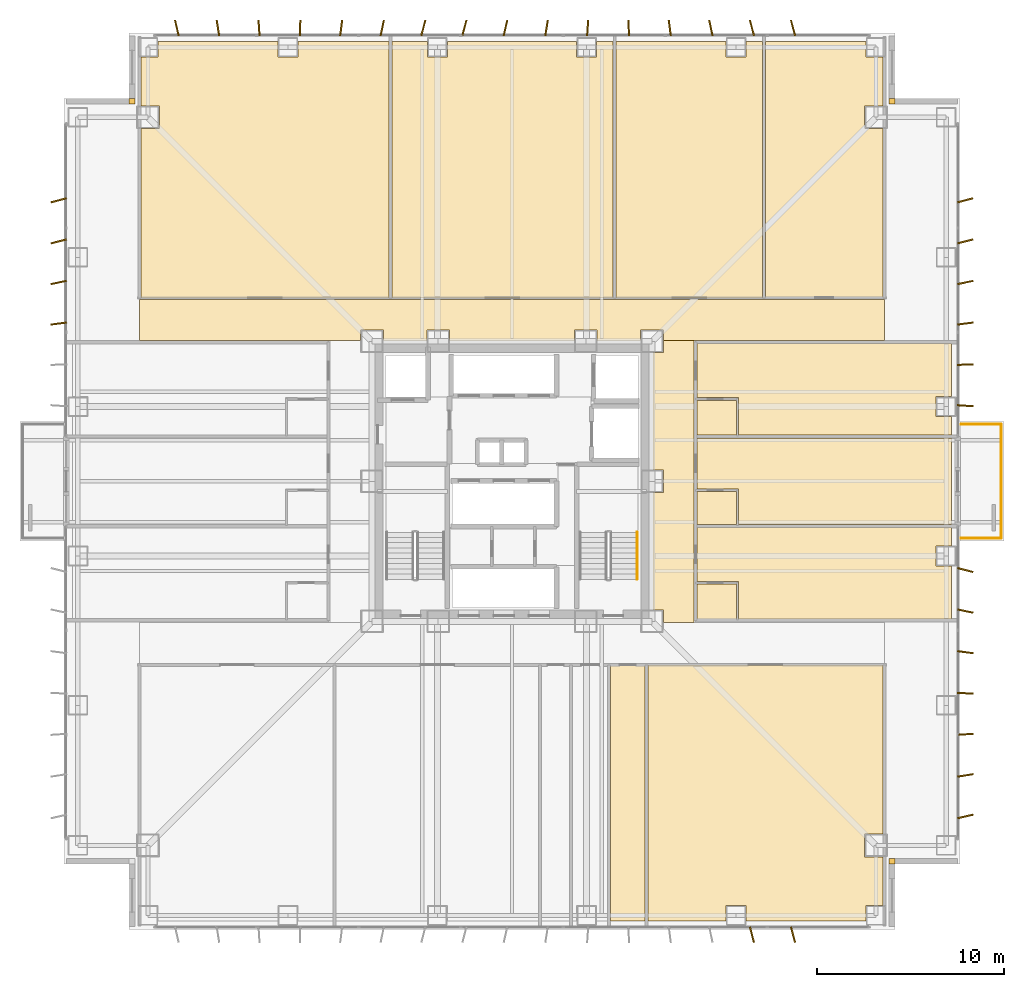
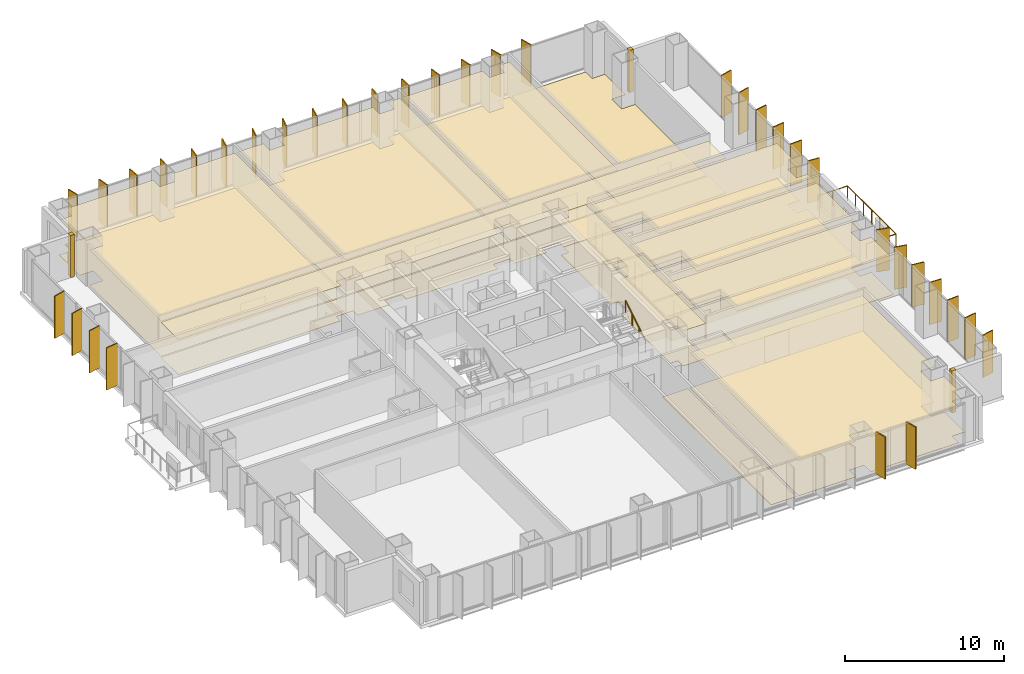
# One storey, part 16 of 16: 35 shading devices, 26 coverings, 4 railings.
"""IFC4 building model written with IfcOpenShell, lengths in metres."""

from ifc_helpers import new_model, si_unit, direction, frame, origin, origin_2d, place, context, subcontext, project, spatial, polyline, rectangle, circle, outline, extrude, material, layer, layer_set, type_object, element, save


model = new_model("IFC4")

# Units and contexts
model_context = context("Model", 3, precision=1e-05, world=origin(), true_north=direction((0.0, 1.0)))
body_context = subcontext(model_context, "Body", "Model", "MODEL_VIEW")
ifc_project = project(units=[si_unit("LENGTHUNIT", "METRE"), si_unit("AREAUNIT", "SQUARE_METRE"), si_unit("VOLUMEUNIT", "CUBIC_METRE"), si_unit("PLANEANGLEUNIT", "RADIAN"), si_unit("MASSUNIT", "GRAM", prefix="KILO")], contexts=[model_context])

# Site, building, storey
site_placement = place(None, origin())
site = spatial("IfcSite", under=ifc_project, at=site_placement, CompositionType="ELEMENT")
building_placement = place(site_placement, origin())
building = spatial("IfcBuilding", under=site, at=building_placement, Name="Trevonay Congress Spire", CompositionType="ELEMENT")
storey_placement = place(building_placement, frame((0.0, 0.0, 48.0)))
storey = spatial("IfcBuildingStorey", under=building, at=storey_placement, Name="L11", CompositionType="ELEMENT", Elevation=48.0)

# Coverings
ifc_material_1 = material(Name="Acoustic Mineral Fibre Board", Category="gypsum")
ifc_layer_1 = layer(ifc_material_1, 0.02490234375, Name="Acoustic Mineral Fibre Board")
ifc_layer_set_1 = layer_set([ifc_layer_1], Name="Acoustic Mineral Fibre Board")
covering_type_1 = type_object("IfcCoveringType", Name="COV-CEIL-ACOUSTIC", PredefinedType="CEILING", material=ifc_layer_set_1)
covering_1_placement = place(storey_placement, frame((0.0, 0.0, 2.699951171875)))
element("IfcCovering", 1, at=covering_1_placement, inside=storey, type_object=covering_type_1, Name="L11 Hotel Floor Corridor North acoustic suspended ceiling", PredefinedType="CEILING", context=body_context, shape_type="SweptSolid", body=[
    extrude(outline(polyline([(-19.949951171875, 7.550048828125), (-19.949951171875, 9.75), (19.949951171875, 9.75), (19.949951171875, 7.550048828125), (8.110107421875, 7.550048828125), (8.110107421875, 8.110107421875), (6.889892578125, 8.110107421875), (6.889892578125, 7.550048828125), (4.56005859375, 7.550048828125), (4.56005859375, 8.110107421875), (3.340087890625, 8.110107421875), (3.340087890625, 7.550048828125), (-3.340087890625, 7.550048828125), (-3.340087890625, 8.110107421875), (-4.56005859375, 8.110107421875), (-4.56005859375, 7.550048828125), (-6.889892578125, 7.550048828125), (-6.889892578125, 8.110107421875), (-8.110107421875, 8.110107421875), (-8.110107421875, 7.550048828125), (-19.949951171875, 7.550048828125)])), origin(), (0.0, 0.0, 1.0), 0.025146484375),
])
covering_2_placement = place(storey_placement, frame((0.0, 0.0, 2.699951171875)))
element("IfcCovering", 2, at=covering_2_placement, inside=storey, type_object=covering_type_1, Name="L11 Hotel Floor Corridor East acoustic suspended ceiling", PredefinedType="CEILING", context=body_context, shape_type="SweptSolid", body=[
    extrude(outline(polyline([(9.75, -7.550048828125), (8.110107421875, -7.550048828125), (8.110107421875, -6.889892578125), (7.550048828125, -6.889892578125), (7.550048828125, -0.610107421875), (8.110107421875, -0.610107421875), (8.110107421875, 0.610107421875), (7.550048828125, 0.610107421875), (7.550048828125, 6.889892578125), (8.110107421875, 6.889892578125), (8.110107421875, 7.550048828125), (9.75, 7.550048828125), (9.75, -7.550048828125)])), origin(), (0.0, 0.0, 1.0), 0.025146484375),
])
covering_3_placement = place(storey_placement, frame((0.0, 0.0, 2.699951171875)))
element("IfcCovering", 3, at=covering_3_placement, inside=storey, type_object=covering_type_1, Name="L11 Poolside Juice Bar acoustic suspended ceiling", PredefinedType="CEILING", context=body_context, shape_type="SweptSolid", body=[
    extrude(outline(polyline([(7.280029296875, -23.550048828125), (7.280029296875, -9.830078125), (19.8701171875, -9.830078125), (19.8701171875, -18.889892578125), (18.889892578125, -18.889892578125), (18.889892578125, -20.110107421875), (19.8701171875, -20.110107421875), (19.8701171875, -22.715087890625), (18.965087890625, -22.715087890625), (18.965087890625, -23.550048828125), (12.534912109375, -23.550048828125), (12.534912109375, -22.715087890625), (11.465087890625, -22.715087890625), (11.465087890625, -23.550048828125), (7.280029296875, -23.550048828125)])), origin(), (0.0, 0.0, 1.0), 0.025146484375),
])
covering_4_placement = place(storey_placement, frame((0.0, 0.0, 2.699951171875)))
element("IfcCovering", 4, at=covering_4_placement, inside=storey, type_object=covering_type_1, Name="L11 Hotel Wellness Fitness Gym acoustic suspended ceiling", PredefinedType="CEILING", context=body_context, shape_type="SweptSolid", body=[
    extrude(outline(polyline([(-6.580078125, 23.550048828125), (-6.580078125, 9.830078125), (-19.8701171875, 9.830078125), (-19.8701171875, 18.889892578125), (-18.889892578125, 18.889892578125), (-18.889892578125, 20.110107421875), (-19.8701171875, 20.110107421875), (-19.8701171875, 22.715087890625), (-18.965087890625, 22.715087890625), (-18.965087890625, 23.550048828125), (-12.534912109375, 23.550048828125), (-12.534912109375, 22.715087890625), (-11.465087890625, 22.715087890625), (-11.465087890625, 23.550048828125), (-6.580078125, 23.550048828125)])), origin(), (0.0, 0.0, 1.0), 0.025146484375),
])
covering_5_placement = place(storey_placement, frame((0.0, 0.0, 2.699951171875)))
element("IfcCovering", 5, at=covering_5_placement, inside=storey, type_object=covering_type_1, Name="L11 Garden Terrace Brasserie Dining acoustic suspended ceiling", PredefinedType="CEILING", context=body_context, shape_type="SweptSolid", body=[
    extrude(outline(polyline([(5.419921875, 23.550048828125), (5.419921875, 9.830078125), (-6.419921875, 9.830078125), (-6.419921875, 23.550048828125), (-4.534912109375, 23.550048828125), (-4.534912109375, 22.715087890625), (-3.465087890625, 22.715087890625), (-3.465087890625, 23.550048828125), (3.465087890625, 23.550048828125), (3.465087890625, 22.715087890625), (4.534912109375, 22.715087890625), (4.534912109375, 23.550048828125), (5.419921875, 23.550048828125)])), origin(), (0.0, 0.0, 1.0), 0.025146484375),
])
covering_6_placement = place(storey_placement, frame((0.0, 0.0, 2.699951171875)))
element("IfcCovering", 6, at=covering_6_placement, inside=storey, type_object=covering_type_1, Name="L11 Brasserie Show Kitchen acoustic suspended ceiling", PredefinedType="CEILING", context=body_context, shape_type="SweptSolid", body=[
    extrude(outline(polyline([(13.419921875, 23.550048828125), (13.419921875, 9.830078125), (5.580078125, 9.830078125), (5.580078125, 23.550048828125), (11.465087890625, 23.550048828125), (11.465087890625, 22.715087890625), (12.534912109375, 22.715087890625), (12.534912109375, 23.550048828125), (13.419921875, 23.550048828125)])), origin(), (0.0, 0.0, 1.0), 0.025146484375),
])
covering_7_placement = place(storey_placement, frame((0.0, 0.0, 2.699951171875)))
element("IfcCovering", 7, at=covering_7_placement, inside=storey, type_object=covering_type_1, Name="L11 Corner Hotel Suite acoustic suspended ceiling", PredefinedType="CEILING", context=body_context, shape_type="SweptSolid", body=[
    extrude(outline(polyline([(9.909912109375, -2.47998046875), (23.550048828125, -2.47998046875), (23.550048828125, -3.465087890625), (22.715087890625, -3.465087890625), (22.715087890625, -4.534912109375), (23.550048828125, -4.534912109375), (23.550048828125, -7.3701171875), (12.139892578125, -7.3701171875), (12.139892578125, -5.3720703125), (9.909912109375, -5.3720703125), (9.909912109375, -2.47998046875)])), origin(), (0.0, 0.0, 1.0), 0.025146484375),
])
covering_8_placement = place(storey_placement, frame((0.0, 0.0, 2.699951171875)))
element("IfcCovering", 8, at=covering_8_placement, inside=storey, type_object=covering_type_1, Name="L11 Corner Hotel Suite acoustic suspended ceiling", PredefinedType="CEILING", context=body_context, shape_type="SweptSolid", body=[
    extrude(outline(polyline([(9.909912109375, -0.4169921875), (9.909912109375, 2.320068359375), (23.550048828125, 2.320068359375), (23.550048828125, -2.320068359375), (12.139892578125, -2.320068359375), (12.139892578125, -0.4169921875), (9.909912109375, -0.4169921875)])), origin(), (0.0, 0.0, 1.0), 0.025146484375),
])
covering_9_placement = place(storey_placement, frame((0.0, 0.0, 2.699951171875)))
element("IfcCovering", 9, at=covering_9_placement, inside=storey, type_object=covering_type_1, Name="L11 Corner Hotel Suite acoustic suspended ceiling", PredefinedType="CEILING", context=body_context, shape_type="SweptSolid", body=[
    extrude(outline(polyline([(9.909912109375, 7.3701171875), (23.550048828125, 7.3701171875), (23.550048828125, 4.534912109375), (22.715087890625, 4.534912109375), (22.715087890625, 3.465087890625), (23.550048828125, 3.465087890625), (23.550048828125, 2.47998046875), (12.139892578125, 2.47998046875), (12.139892578125, 4.47802734375), (9.909912109375, 4.47802734375), (9.909912109375, 7.3701171875)])), origin(), (0.0, 0.0, 1.0), 0.025146484375),
])
ifc_material_2 = material(Name="Polished Granite Floor Tile", Category="masonry")
ifc_layer_2 = layer(ifc_material_2, 0.02001953125, Name="Polished Granite Floor Tile")
ifc_layer_set_2 = layer_set([ifc_layer_2], Name="Polished Granite Floor Tile")
covering_type_2 = type_object("IfcCoveringType", Name="COV-FLOOR-STONE", PredefinedType="FLOORING", material=ifc_layer_set_2)
covering_10_placement = place(storey_placement, origin())
element("IfcCovering", 10, at=covering_10_placement, inside=storey, type_object=covering_type_2, Name="L11 Hotel Floor Corridor North floor finish", PredefinedType="FLOORING", context=body_context, shape_type="SweptSolid", body=[
    extrude(outline(polyline([(-19.949951171875, 7.550048828125), (-19.949951171875, 9.75), (19.949951171875, 9.75), (19.949951171875, 7.550048828125), (8.110107421875, 7.550048828125), (8.110107421875, 8.110107421875), (6.889892578125, 8.110107421875), (6.889892578125, 7.550048828125), (4.56005859375, 7.550048828125), (4.56005859375, 8.110107421875), (3.340087890625, 8.110107421875), (3.340087890625, 7.550048828125), (-3.340087890625, 7.550048828125), (-3.340087890625, 8.110107421875), (-4.56005859375, 8.110107421875), (-4.56005859375, 7.550048828125), (-6.889892578125, 7.550048828125), (-6.889892578125, 8.110107421875), (-8.110107421875, 8.110107421875), (-8.110107421875, 7.550048828125), (-19.949951171875, 7.550048828125)])), origin(), (0.0, 0.0, 1.0), 0.02001953125),
])
covering_11_placement = place(storey_placement, origin())
element("IfcCovering", 11, at=covering_11_placement, inside=storey, type_object=covering_type_2, Name="L11 Hotel Floor Corridor East floor finish", PredefinedType="FLOORING", context=body_context, shape_type="SweptSolid", body=[
    extrude(outline(polyline([(9.75, -7.550048828125), (8.110107421875, -7.550048828125), (8.110107421875, -6.889892578125), (7.550048828125, -6.889892578125), (7.550048828125, -0.610107421875), (8.110107421875, -0.610107421875), (8.110107421875, 0.610107421875), (7.550048828125, 0.610107421875), (7.550048828125, 6.889892578125), (8.110107421875, 6.889892578125), (8.110107421875, 7.550048828125), (9.75, 7.550048828125), (9.75, -7.550048828125)])), origin(), (0.0, 0.0, 1.0), 0.02001953125),
])
covering_12_placement = place(storey_placement, origin())
element("IfcCovering", 12, at=covering_12_placement, inside=storey, type_object=covering_type_2, Name="L11 Accessible WC floor finish", PredefinedType="FLOORING", context=body_context, shape_type="SweptSolid", body=[
    extrude(outline(polyline([(5.280029296875, -23.550048828125), (7.1201171875, -23.550048828125), (7.1201171875, -9.830078125), (5.280029296875, -9.830078125), (5.280029296875, -23.550048828125)])), origin(), (0.0, 0.0, 1.0), 0.02001953125),
])
covering_13_placement = place(storey_placement, origin())
element("IfcCovering", 13, at=covering_13_placement, inside=storey, type_object=covering_type_2, Name="L11 Poolside Juice Bar floor finish", PredefinedType="FLOORING", context=body_context, shape_type="SweptSolid", body=[
    extrude(outline(polyline([(7.280029296875, -23.550048828125), (7.280029296875, -9.830078125), (19.8701171875, -9.830078125), (19.8701171875, -18.889892578125), (18.889892578125, -18.889892578125), (18.889892578125, -20.110107421875), (19.8701171875, -20.110107421875), (19.8701171875, -22.715087890625), (18.965087890625, -22.715087890625), (18.965087890625, -23.550048828125), (12.534912109375, -23.550048828125), (12.534912109375, -22.715087890625), (11.465087890625, -22.715087890625), (11.465087890625, -23.550048828125), (7.280029296875, -23.550048828125)])), origin(), (0.0, 0.0, 1.0), 0.02001953125),
])
covering_14_placement = place(storey_placement, origin())
element("IfcCovering", 14, at=covering_14_placement, inside=storey, type_object=covering_type_2, Name="L11 Garden Terrace Brasserie Dining floor finish", PredefinedType="FLOORING", context=body_context, shape_type="SweptSolid", body=[
    extrude(outline(polyline([(5.419921875, 23.550048828125), (5.419921875, 9.830078125), (-6.419921875, 9.830078125), (-6.419921875, 23.550048828125), (-4.534912109375, 23.550048828125), (-4.534912109375, 22.715087890625), (-3.465087890625, 22.715087890625), (-3.465087890625, 23.550048828125), (3.465087890625, 23.550048828125), (3.465087890625, 22.715087890625), (4.534912109375, 22.715087890625), (4.534912109375, 23.550048828125), (5.419921875, 23.550048828125)])), origin(), (0.0, 0.0, 1.0), 0.02001953125),
])
covering_15_placement = place(storey_placement, origin())
element("IfcCovering", 15, at=covering_15_placement, inside=storey, type_object=covering_type_2, Name="L11 Brasserie Show Kitchen floor finish", PredefinedType="FLOORING", context=body_context, shape_type="SweptSolid", body=[
    extrude(outline(polyline([(13.419921875, 23.550048828125), (13.419921875, 9.830078125), (5.580078125, 9.830078125), (5.580078125, 23.550048828125), (11.465087890625, 23.550048828125), (11.465087890625, 22.715087890625), (12.534912109375, 22.715087890625), (12.534912109375, 23.550048828125), (13.419921875, 23.550048828125)])), origin(), (0.0, 0.0, 1.0), 0.02001953125),
])
covering_16_placement = place(storey_placement, origin())
element("IfcCovering", 16, at=covering_16_placement, inside=storey, type_object=covering_type_2, Name="L11 Housekeeping and Linen Room floor finish", PredefinedType="FLOORING", context=body_context, shape_type="SweptSolid", body=[
    extrude(outline(polyline([(19.8701171875, 9.830078125), (13.580078125, 9.830078125), (13.580078125, 23.550048828125), (18.965087890625, 23.550048828125), (18.965087890625, 22.715087890625), (19.8701171875, 22.715087890625), (19.8701171875, 20.110107421875), (18.889892578125, 20.110107421875), (18.889892578125, 18.889892578125), (19.8701171875, 18.889892578125), (19.8701171875, 9.830078125)])), origin(), (0.0, 0.0, 1.0), 0.02001953125),
])
covering_17_placement = place(storey_placement, origin())
element("IfcCovering", 17, at=covering_17_placement, inside=storey, type_object=covering_type_2, Name="L11 En-suite Bathroom floor finish", PredefinedType="FLOORING", context=body_context, shape_type="SweptSolid", body=[
    extrude(outline(polyline([(9.909912109375, -7.3701171875), (12.02001953125, -7.3701171875), (12.02001953125, -5.511962890625), (9.909912109375, -5.511962890625), (9.909912109375, -7.3701171875)])), origin(), (0.0, 0.0, 1.0), 0.02001953125),
])
covering_18_placement = place(storey_placement, origin())
element("IfcCovering", 18, at=covering_18_placement, inside=storey, type_object=covering_type_2, Name="L11 En-suite Bathroom floor finish", PredefinedType="FLOORING", context=body_context, shape_type="SweptSolid", body=[
    extrude(outline(polyline([(9.909912109375, -2.320068359375), (12.02001953125, -2.320068359375), (12.02001953125, -0.556884765625), (9.909912109375, -0.556884765625), (9.909912109375, -2.320068359375)])), origin(), (0.0, 0.0, 1.0), 0.02001953125),
])
covering_19_placement = place(storey_placement, origin())
element("IfcCovering", 19, at=covering_19_placement, inside=storey, type_object=covering_type_2, Name="L11 En-suite Bathroom floor finish", PredefinedType="FLOORING", context=body_context, shape_type="SweptSolid", body=[
    extrude(outline(polyline([(9.909912109375, 2.47998046875), (12.02001953125, 2.47998046875), (12.02001953125, 4.337890625), (9.909912109375, 4.337890625), (9.909912109375, 2.47998046875)])), origin(), (0.0, 0.0, 1.0), 0.02001953125),
])
ifc_material_3 = material(Name="Engineered Oak Flooring", Category="wood")
ifc_layer_3 = layer(ifc_material_3, 0.01806640625, Name="Engineered Oak Flooring")
ifc_layer_set_3 = layer_set([ifc_layer_3], Name="Engineered Oak Flooring")
covering_type_3 = type_object("IfcCoveringType", Name="COV-FLOOR-TIMBER", PredefinedType="FLOORING", material=ifc_layer_set_3)
covering_20_placement = place(storey_placement, origin())
element("IfcCovering", 20, at=covering_20_placement, inside=storey, type_object=covering_type_3, Name="L11 Hotel Wellness Fitness Gym floor finish", PredefinedType="FLOORING", context=body_context, shape_type="SweptSolid", body=[
    extrude(outline(polyline([(-6.580078125, 23.550048828125), (-6.580078125, 9.830078125), (-19.8701171875, 9.830078125), (-19.8701171875, 18.889892578125), (-18.889892578125, 18.889892578125), (-18.889892578125, 20.110107421875), (-19.8701171875, 20.110107421875), (-19.8701171875, 22.715087890625), (-18.965087890625, 22.715087890625), (-18.965087890625, 23.550048828125), (-12.534912109375, 23.550048828125), (-12.534912109375, 22.715087890625), (-11.465087890625, 22.715087890625), (-11.465087890625, 23.550048828125), (-6.580078125, 23.550048828125)])), origin(), (0.0, 0.0, 1.0), 0.01806640625),
])
covering_21_placement = place(storey_placement, origin())
element("IfcCovering", 21, at=covering_21_placement, inside=storey, type_object=covering_type_3, Name="L11 Corner Hotel Suite floor finish", PredefinedType="FLOORING", context=body_context, shape_type="SweptSolid", body=[
    extrude(outline(polyline([(9.909912109375, -2.47998046875), (23.550048828125, -2.47998046875), (23.550048828125, -3.465087890625), (22.715087890625, -3.465087890625), (22.715087890625, -4.534912109375), (23.550048828125, -4.534912109375), (23.550048828125, -7.3701171875), (12.139892578125, -7.3701171875), (12.139892578125, -5.3720703125), (9.909912109375, -5.3720703125), (9.909912109375, -2.47998046875)])), origin(), (0.0, 0.0, 1.0), 0.01806640625),
])
covering_22_placement = place(storey_placement, origin())
element("IfcCovering", 22, at=covering_22_placement, inside=storey, type_object=covering_type_3, Name="L11 Corner Hotel Suite floor finish", PredefinedType="FLOORING", context=body_context, shape_type="SweptSolid", body=[
    extrude(outline(polyline([(9.909912109375, -0.4169921875), (9.909912109375, 2.320068359375), (23.550048828125, 2.320068359375), (23.550048828125, -2.320068359375), (12.139892578125, -2.320068359375), (12.139892578125, -0.4169921875), (9.909912109375, -0.4169921875)])), origin(), (0.0, 0.0, 1.0), 0.01806640625),
])
covering_23_placement = place(storey_placement, origin())
element("IfcCovering", 23, at=covering_23_placement, inside=storey, type_object=covering_type_3, Name="L11 Corner Hotel Suite floor finish", PredefinedType="FLOORING", context=body_context, shape_type="SweptSolid", body=[
    extrude(outline(polyline([(9.909912109375, 7.3701171875), (23.550048828125, 7.3701171875), (23.550048828125, 4.534912109375), (22.715087890625, 4.534912109375), (22.715087890625, 3.465087890625), (23.550048828125, 3.465087890625), (23.550048828125, 2.47998046875), (12.139892578125, 2.47998046875), (12.139892578125, 4.47802734375), (9.909912109375, 4.47802734375), (9.909912109375, 7.3701171875)])), origin(), (0.0, 0.0, 1.0), 0.01806640625),
])
ifc_material_4 = material(Name="Pale Anodised Aluminium EN AW-6063-T6", Category="aluminium")
ifc_layer_4 = layer(ifc_material_4, 0.0400390625, Name="Pale Anodised Aluminium EN AW-6063-T6")
ifc_layer_set_4 = layer_set([ifc_layer_4], Name="Pale Anodised Aluminium EN AW-6063-T6")
covering_type_4 = type_object("IfcCoveringType", Name="COV-SPANDREL-PALE-METAL", PredefinedType="CLADDING", material=ifc_layer_set_4)
covering_24_placement = place(storey_placement, origin())
element("IfcCovering", 24, at=covering_24_placement, inside=storey, type_object=covering_type_4, Name="L11 SE re-entrant notch corner closure trim", PredefinedType="CLADDING", context=body_context, shape_type="SweptSolid", body=[
    extrude(outline(polyline([(20.199951171875, -20.5), (20.5, -20.5), (20.5, -20.199951171875), (20.199951171875, -20.199951171875), (20.199951171875, -20.5)])), origin(), (0.0, 0.0, 1.0), 3.25),
])
covering_25_placement = place(storey_placement, origin())
element("IfcCovering", 25, at=covering_25_placement, inside=storey, type_object=covering_type_4, Name="L11 NE re-entrant notch corner closure trim", PredefinedType="CLADDING", context=body_context, shape_type="SweptSolid", body=[
    extrude(outline(polyline([(20.199951171875, 20.199951171875), (20.5, 20.199951171875), (20.5, 20.5), (20.199951171875, 20.5), (20.199951171875, 20.199951171875)])), origin(), (0.0, 0.0, 1.0), 3.25),
])
covering_26_placement = place(storey_placement, origin())
element("IfcCovering", 26, at=covering_26_placement, inside=storey, type_object=covering_type_4, Name="L11 NW re-entrant notch corner closure trim", PredefinedType="CLADDING", context=body_context, shape_type="SweptSolid", body=[
    extrude(outline(polyline([(-20.5, 20.199951171875), (-20.199951171875, 20.199951171875), (-20.199951171875, 20.5), (-20.5, 20.5), (-20.5, 20.199951171875)])), origin(), (0.0, 0.0, 1.0), 3.25),
])

# Railings
railing_type_1 = type_object("IfcRailingType", Name="RAL-EXT-GUARD-115", PredefinedType="GUARDRAIL", material=ifc_material_4)
railing_1_placement = place(storey_placement, frame((24.050048828125, -3.050048828125, 0.0)))
element("IfcRailing", 27, at=railing_1_placement, inside=storey, type_object=railing_type_1, Name="L11 perimeter safety guard GRD-L11-TBAL-E-1", PredefinedType="GUARDRAIL", context=body_context, shape_type="SweptSolid", body=[
    extrude(circle(Radius=0.02392578125, at=origin_2d()), frame((0.0, 0.0, 1.1259765625), z_axis=(1.0, 0.0, 0.0), x_axis=(0.0, 1.0, 0.0)), (0.0, 0.0, 1.0), 2.14990234375),
    extrude(circle(Radius=0.02099609375, at=origin_2d()), origin(), (0.0, 0.0, 1.0), 1.101806640625),
    extrude(circle(Radius=0.02099609375, at=origin_2d()), frame((1.074951171875, 0.0, 0.0)), (0.0, 0.0, 1.0), 1.101806640625),
    extrude(circle(Radius=0.02099609375, at=origin_2d()), frame((2.14990234375, 0.0, 0.0)), (0.0, 0.0, 1.0), 1.101806640625),
])
railing_2_placement = place(storey_placement, frame((26.199951171875, -3.050048828125, 0.0)))
element("IfcRailing", 28, at=railing_2_placement, inside=storey, type_object=railing_type_1, Name="L11 perimeter safety guard GRD-L11-TBAL-E-2", PredefinedType="GUARDRAIL", context=body_context, shape_type="SweptSolid", body=[
    extrude(circle(Radius=0.02392578125, at=origin_2d()), frame((0.0, 0.0, 1.1259765625), z_axis=(0.0, 1.0, 0.0), x_axis=(-1.0, 0.0, 0.0)), (0.0, 0.0, 1.0), 6.10009765625),
    extrude(circle(Radius=0.02099609375, at=origin_2d()), origin(), (0.0, 0.0, 1.0), 1.101806640625),
    extrude(circle(Radius=0.02099609375, at=origin_2d()), frame((0.0, 1.0166015625, 0.0)), (0.0, 0.0, 1.0), 1.101806640625),
    extrude(circle(Radius=0.02099609375, at=origin_2d()), frame((0.0, 2.033447265625, 0.0)), (0.0, 0.0, 1.0), 1.101806640625),
    extrude(circle(Radius=0.02099609375, at=origin_2d()), frame((0.0, 3.050048828125, 0.0)), (0.0, 0.0, 1.0), 1.101806640625),
    extrude(circle(Radius=0.02099609375, at=origin_2d()), frame((0.0, 4.066650390625, 0.0)), (0.0, 0.0, 1.0), 1.101806640625),
    extrude(circle(Radius=0.02099609375, at=origin_2d()), frame((0.0, 5.08349609375, 0.0)), (0.0, 0.0, 1.0), 1.101806640625),
    extrude(circle(Radius=0.02099609375, at=origin_2d()), frame((0.0, 6.10009765625, 0.0)), (0.0, 0.0, 1.0), 1.101806640625),
])
railing_3_placement = place(storey_placement, frame((26.199951171875, 3.050048828125, 0.0)))
element("IfcRailing", 29, at=railing_3_placement, inside=storey, type_object=railing_type_1, Name="L11 perimeter safety guard GRD-L11-TBAL-E-3", PredefinedType="GUARDRAIL", context=body_context, shape_type="SweptSolid", body=[
    extrude(circle(Radius=0.02392578125, at=origin_2d()), frame((0.0, 0.0, 1.1259765625), z_axis=(-1.0, 0.0, 0.0), x_axis=(0.0, -1.0, 0.0)), (0.0, 0.0, 1.0), 2.14990234375),
    extrude(circle(Radius=0.02099609375, at=origin_2d()), origin(), (0.0, 0.0, 1.0), 1.101806640625),
    extrude(circle(Radius=0.02099609375, at=origin_2d()), frame((-1.074951171875, 0.0, 0.0)), (0.0, 0.0, 1.0), 1.101806640625),
    extrude(circle(Radius=0.02099609375, at=origin_2d()), frame((-2.14990234375, 0.0, 0.0)), (0.0, 0.0, 1.0), 1.101806640625),
])
railing_type_2 = type_object("IfcRailingType", Name="RAL-STAIR-HANDRAIL", PredefinedType="HANDRAIL", material=ifc_material_4)
railing_4_placement = place(storey_placement, frame((6.699951171875, -5.25, 0.175048828125)))
element("IfcRailing", 30, at=railing_4_placement, inside=storey, type_object=railing_type_2, Name="L11 ST-2 stair handrail 1", PredefinedType="HANDRAIL", context=body_context, shape_type="SweptSolid", body=[
    extrude(circle(Radius=0.02392578125, at=origin_2d()), frame((0.0, 0.0, 0.8759765625), z_axis=(0.0, 0.848007534815, 0.529984170421), x_axis=(-1.0, 0.0, 0.0)), (0.0, 0.0, 1.0), 2.9716796875),
    extrude(circle(Radius=0.02099609375, at=origin_2d()), origin(), (0.0, 0.0, 1.0), 0.851806640625),
    extrude(circle(Radius=0.02099609375, at=origin_2d()), frame((0.0, 0.840087890625, 0.52490234375)), (0.0, 0.0, 1.0), 0.851806640625),
    extrude(circle(Radius=0.02099609375, at=origin_2d()), frame((0.0, 1.679931640625, 1.050048828125)), (0.0, 0.0, 1.0), 0.851806640625),
    extrude(circle(Radius=0.02099609375, at=origin_2d()), frame((0.0, 2.52001953125, 1.574951171875)), (0.0, 0.0, 1.0), 0.851806640625),
])

# Shading devices
shading_device_type = type_object("IfcShadingDeviceType", Name="SHD-FIN-Z1-PALE-METAL", PredefinedType="USERDEFINED", material=ifc_material_4)
for number, where, z_axis, x_axis, name in (
    (31, (12.85009765625, -24.280029296875, 0.0), (0.0, 0.0, 1.0), (0.968191325187, 0.250211026602, 0.0), "L11 S vertical pale-metal solar fin 15"),
    (32, (15.050048828125, -24.280029296875, 0.0), (0.0, 0.0, 1.0), (0.966510581262, 0.256626764599, 0.0), "L11 S vertical pale-metal solar fin 16"),
    (33, (-17.949951171875, 24.280029296875, 0.0), (0.0, 0.0, 1.0), (0.97440931131, 0.224780991261, 0.0), "L11 N vertical pale-metal solar fin 1"),
    (34, (-15.75, 24.280029296875, 0.0), (0.0, 0.0, 1.0), (0.987330860032, 0.158675054211, 0.0), "L11 N vertical pale-metal solar fin 2"),
    (35, (-13.550048828125, 24.280029296875, 0.0), (0.0, 0.0, 1.0), (0.997707959868, 0.067667029017, 0.0), "L11 N vertical pale-metal solar fin 3"),
    (36, (-11.35009765625, 24.280029296875, 0.0), (0.0, 0.0, 1.0), (0.999414947917, -0.034201781837, 0.0), "L11 N vertical pale-metal solar fin 4"),
    (37, (-9.14990234375, 24.280029296875, 0.0), (0.0, 0.0, 1.0), (0.991444861374, -0.13052619222, 0.0), "L11 N vertical pale-metal solar fin 5"),
    (38, (-6.949951171875, 24.280029296875, 0.0), (0.0, 0.0, 1.0), (0.978508985102, -0.206204185397, 0.0), "L11 N vertical pale-metal solar fin 6"),
    (39, (-4.75, 24.280029296875, 0.0), (0.0, 0.0, 1.0), (0.968191325187, -0.250211026602, 0.0), "L11 N vertical pale-metal solar fin 7"),
    (40, (-2.550048828125, 24.280029296875, 0.0), (0.0, 0.0, 1.0), (0.966510581262, -0.256626764599, 0.0), "L11 N vertical pale-metal solar fin 8"),
    (41, (-0.35009765625, 24.280029296875, 0.0), (0.0, 0.0, 1.0), (0.97440931131, -0.224780991261, 0.0), "L11 N vertical pale-metal solar fin 9"),
    (42, (1.85009765625, 24.280029296875, 0.0), (0.0, 0.0, 1.0), (0.987330860032, -0.158675054211, 0.0), "L11 N vertical pale-metal solar fin 10"),
    (43, (4.050048828125, 24.280029296875, 0.0), (0.0, 0.0, 1.0), (0.997707959868, -0.067667029017, 0.0), "L11 N vertical pale-metal solar fin 11"),
    (44, (6.25, 24.280029296875, 0.0), (0.0, 0.0, 1.0), (0.999414947917, 0.034201781837, 0.0), "L11 N vertical pale-metal solar fin 12"),
    (45, (8.449951171875, 24.280029296875, 0.0), (0.0, 0.0, 1.0), (0.991444861374, 0.13052619222, 0.0), "L11 N vertical pale-metal solar fin 13"),
    (46, (10.64990234375, 24.280029296875, 0.0), (0.0, 0.0, 1.0), (0.978508985102, 0.206204185397, 0.0), "L11 N vertical pale-metal solar fin 14"),
    (47, (12.85009765625, 24.280029296875, 0.0), (0.0, 0.0, 1.0), (0.968191325187, 0.250211026602, 0.0), "L11 N vertical pale-metal solar fin 15"),
    (48, (15.050048828125, 24.280029296875, 0.0), (0.0, 0.0, 1.0), (0.966510581262, 0.256626764599, 0.0), "L11 N vertical pale-metal solar fin 16"),
    (49, (-24.280029296875, 8.449951171875, 0.0), (0.0, 0.0, 1.0), (-0.13052619222, 0.991444861374, 0.0), "L11 W vertical pale-metal solar fin 13"),
    (50, (-24.280029296875, 10.64990234375, 0.0), (0.0, 0.0, 1.0), (-0.206204185397, 0.978508985102, 0.0), "L11 W vertical pale-metal solar fin 14"),
    (51, (-24.280029296875, 12.85009765625, 0.0), (0.0, 0.0, 1.0), (-0.250211026602, 0.968191325187, 0.0), "L11 W vertical pale-metal solar fin 15"),
    (52, (-24.280029296875, 15.050048828125, 0.0), (0.0, 0.0, 1.0), (-0.256626764599, 0.966510581262, 0.0), "L11 W vertical pale-metal solar fin 16"),
    (53, (24.280029296875, -17.949951171875, 0.0), (0.0, 0.0, 1.0), (-0.224780991261, 0.97440931131, 0.0), "L11 E vertical pale-metal solar fin 1"),
    (54, (24.280029296875, -15.75, 0.0), (0.0, 0.0, 1.0), (-0.158675054211, 0.987330860032, 0.0), "L11 E vertical pale-metal solar fin 2"),
    (55, (24.280029296875, -13.550048828125, 0.0), (0.0, 0.0, 1.0), (-0.067667029017, 0.997707959868, 0.0), "L11 E vertical pale-metal solar fin 3"),
    (56, (24.280029296875, -11.35009765625, 0.0), (0.0, 0.0, 1.0), (0.034201781837, 0.999414947917, 0.0), "L11 E vertical pale-metal solar fin 4"),
    (57, (24.280029296875, -9.14990234375, 0.0), (0.0, 0.0, 1.0), (0.13052619222, 0.991444861374, 0.0), "L11 E vertical pale-metal solar fin 5"),
    (58, (24.280029296875, -6.949951171875, 0.0), (0.0, 0.0, 1.0), (0.206204185397, 0.978508985102, 0.0), "L11 E vertical pale-metal solar fin 6"),
    (59, (24.280029296875, -4.75, 0.0), (0.0, 0.0, 1.0), (0.250211026602, 0.968191325187, 0.0), "L11 E vertical pale-metal solar fin 7"),
    (60, (24.280029296875, 4.050048828125, 0.0), (0.0, 0.0, 1.0), (0.067667029017, 0.997707959868, 0.0), "L11 E vertical pale-metal solar fin 11"),
    (61, (24.280029296875, 6.25, 0.0), (0.0, 0.0, 1.0), (-0.034201781837, 0.999414947917, 0.0), "L11 E vertical pale-metal solar fin 12"),
    (62, (24.280029296875, 8.449951171875, 0.0), (0.0, 0.0, 1.0), (-0.13052619222, 0.991444861374, 0.0), "L11 E vertical pale-metal solar fin 13"),
    (63, (24.280029296875, 10.64990234375, 0.0), (0.0, 0.0, 1.0), (-0.206204185397, 0.978508985102, 0.0), "L11 E vertical pale-metal solar fin 14"),
    (64, (24.280029296875, 12.85009765625, 0.0), (0.0, 0.0, 1.0), (-0.250211026602, 0.968191325187, 0.0), "L11 E vertical pale-metal solar fin 15"),
    (65, (24.280029296875, 15.050048828125, 0.0), (0.0, 0.0, 1.0), (-0.256626764599, 0.966510581262, 0.0), "L11 E vertical pale-metal solar fin 16"),
):
    element("IfcShadingDevice", number, at=place(storey_placement, frame(where, z_axis=z_axis, x_axis=x_axis)), inside=storey, type_object=shading_device_type, Name=name, ObjectType="SOLAR FIN", PredefinedType="USERDEFINED", context=body_context, shape_type="SweptSolid", body=[
        extrude(rectangle(XDim=0.080078125, YDim=0.85009765625, at=origin_2d()), origin(), (0.0, 0.0, 1.0), 3.25),
    ])

save(model, "model.ifc")
